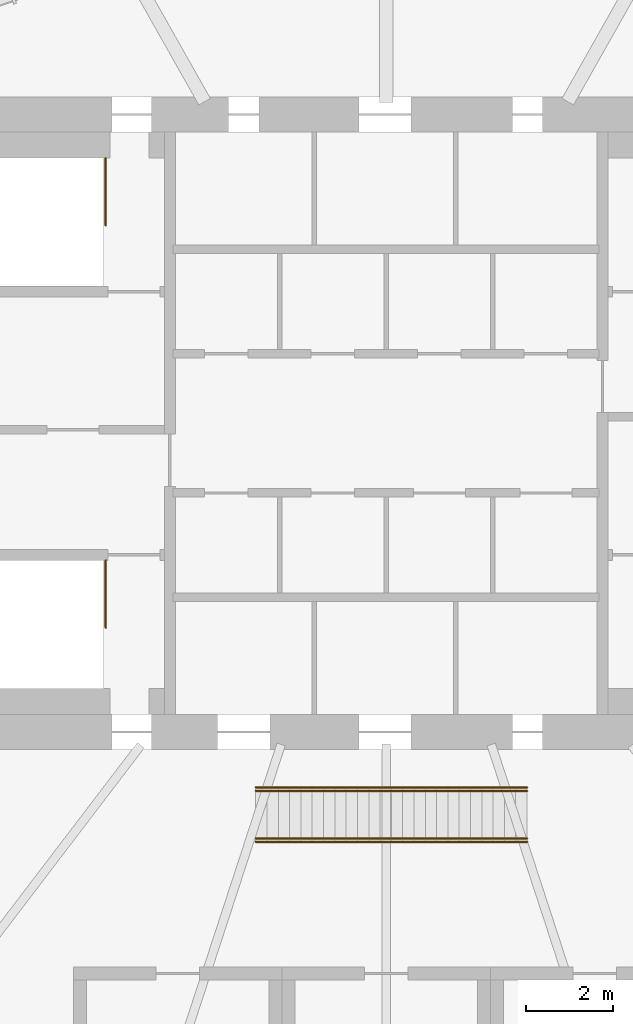
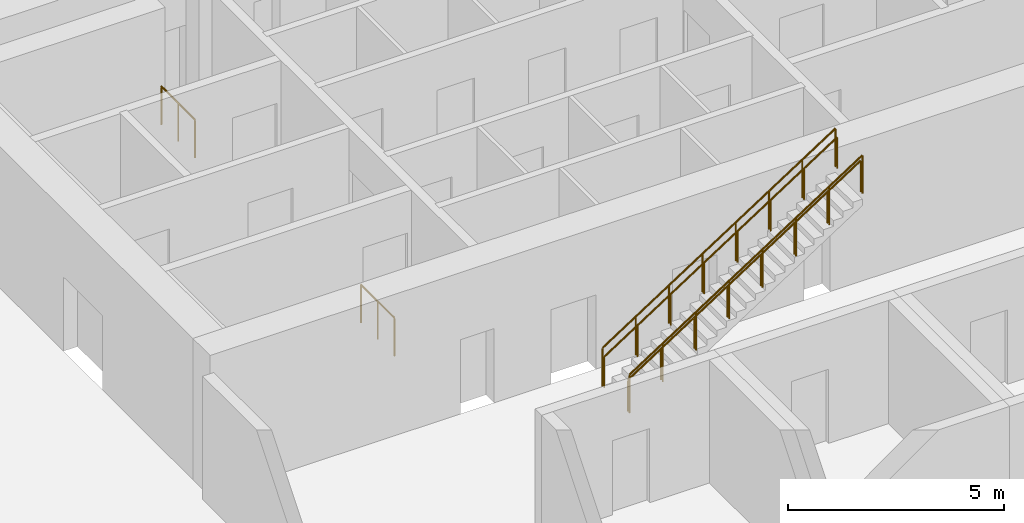
# One storey, part 8 of 8: 6 railings.
"""IFC4 building model written with IfcOpenShell, lengths in metres."""

from ifc_helpers import new_model, si_unit, direction, frame, origin, origin_2d, place, context, subcontext, project, spatial, circle, extrude, material, type_object, element, save


model = new_model("IFC4")

# Units and contexts
model_context = context("Model", 3, precision=1e-05, world=origin(), true_north=direction((0.0, 1.0)))
body_context = subcontext(model_context, "Body", "Model", "MODEL_VIEW")
ifc_project = project(units=[si_unit("LENGTHUNIT", "METRE"), si_unit("AREAUNIT", "SQUARE_METRE"), si_unit("VOLUMEUNIT", "CUBIC_METRE"), si_unit("PLANEANGLEUNIT", "RADIAN"), si_unit("MASSUNIT", "GRAM", prefix="KILO")], contexts=[model_context])

# Site, building, storey
site_placement = place(None, origin())
site = spatial("IfcSite", under=ifc_project, at=site_placement, CompositionType="ELEMENT")
building_placement = place(site_placement, origin())
building = spatial("IfcBuilding", under=site, at=building_placement, Name="Rubra Terraces Tower", CompositionType="ELEMENT")
storey_placement = place(building_placement, frame((0.0, 0.0, 316.199951171875)))
storey = spatial("IfcBuildingStorey", under=building, at=storey_placement, Name="L78", CompositionType="ELEMENT", Elevation=316.199951171875)

# Railings
ifc_material = material(Name="Stainless steel", Category="steel")
railing_type_1 = type_object("IfcRailingType", Name="Core stair guard 1100", PredefinedType="GUARDRAIL", material=ifc_material)
for number, where, name in (
    (1, (-6.449951171875, 1.35009765625, 0.0), "L78 stair S1 top guard 1"),
    (2, (-6.449951171875, 10.60009765625, 0.0), "L78 stair S2 top guard 1"),
):
    element("IfcRailing", number, at=place(storey_placement, frame(where)), inside=storey, type_object=railing_type_1, Name=name, PredefinedType="GUARDRAIL", context=body_context, shape_type="SweptSolid", body=[
        extrude(circle(Radius=0.02392578125, at=origin_2d()), frame((0.0, 0.0, 1.076171875), z_axis=(0.0, -1.0, 0.0), x_axis=(1.0, 0.0, 0.0)), (0.0, 0.0, 1.0), 1.550048828125),
        extrude(circle(Radius=0.02099609375, at=origin_2d()), origin(), (0.0, 0.0, 1.0), 1.052001953125),
        extrude(circle(Radius=0.02099609375, at=origin_2d()), frame((0.0, -0.77490234375, 0.0)), (0.0, 0.0, 1.0), 1.052001953125),
        extrude(circle(Radius=0.02099609375, at=origin_2d()), frame((0.0, -1.550048828125, 0.0)), (0.0, 0.0, 1.0), 1.052001953125),
    ])
for number, where, name in (
    (3, (-3.0, -5.125, 0.16796875), "L78 stair S5 guard 1"),
    (4, (-3.0, -3.875, 0.16796875), "L78 stair S5 guard 2"),
):
    element("IfcRailing", number, at=place(storey_placement, frame(where)), inside=storey, type_object=railing_type_1, Name=name, PredefinedType="GUARDRAIL", context=body_context, shape_type="SweptSolid", body=[
        extrude(circle(Radius=0.02392578125, at=origin_2d()), frame((0.0, 0.0, 1.076171875), z_axis=(0.839917359863, 0.0, 0.542714315824), x_axis=(0.0, 1.0, 0.0)), (0.0, 0.0, 1.0), 7.42919921875),
        extrude(circle(Radius=0.02099609375, at=origin_2d()), origin(), (0.0, 0.0, 1.0), 1.052001953125),
        extrude(circle(Radius=0.02099609375, at=origin_2d()), frame((0.891357421875, 0.0, 0.575927734375)), (0.0, 0.0, 1.0), 1.052001953125),
        extrude(circle(Radius=0.02099609375, at=origin_2d()), frame((1.782958984375, 0.0, 1.152099609375)), (0.0, 0.0, 1.0), 1.052001953125),
        extrude(circle(Radius=0.02099609375, at=origin_2d()), frame((2.67431640625, 0.0, 1.72802734375)), (0.0, 0.0, 1.0), 1.052001953125),
        extrude(circle(Radius=0.02099609375, at=origin_2d()), frame((3.565673828125, 0.0, 2.303955078125)), (0.0, 0.0, 1.0), 1.052001953125),
        extrude(circle(Radius=0.02099609375, at=origin_2d()), frame((4.45703125, 0.0, 2.8798828125)), (0.0, 0.0, 1.0), 1.052001953125),
        extrude(circle(Radius=0.02099609375, at=origin_2d()), frame((5.3486328125, 0.0, 3.4560546875)), (0.0, 0.0, 1.0), 1.052001953125),
        extrude(circle(Radius=0.02099609375, at=origin_2d()), frame((6.239990234375, 0.0, 4.031982421875)), (0.0, 0.0, 1.0), 1.052001953125),
    ])
railing_type_2 = type_object("IfcRailingType", Name="Core stair handrail 900", PredefinedType="HANDRAIL", material=ifc_material)
for number, where, name in (
    (5, (-3.0, -5.044921875, 0.16796875), "L78 stair S5 handrail 1"),
    (6, (-3.0, -3.955078125, 0.16796875), "L78 stair S5 handrail 2"),
):
    element("IfcRailing", number, at=place(storey_placement, frame(where)), inside=storey, type_object=railing_type_2, Name=name, PredefinedType="HANDRAIL", context=body_context, shape_type="SweptSolid", body=[
        extrude(circle(Radius=0.02392578125, at=origin_2d()), frame((0.0, 0.0, 0.8759765625), z_axis=(0.839917359863, 0.0, 0.542714315824), x_axis=(0.0, 1.0, 0.0)), (0.0, 0.0, 1.0), 7.42919921875),
        extrude(circle(Radius=0.02099609375, at=origin_2d()), origin(), (0.0, 0.0, 1.0), 0.851806640625),
        extrude(circle(Radius=0.02099609375, at=origin_2d()), frame((0.891357421875, 0.0, 0.575927734375)), (0.0, 0.0, 1.0), 0.851806640625),
        extrude(circle(Radius=0.02099609375, at=origin_2d()), frame((1.782958984375, 0.0, 1.152099609375)), (0.0, 0.0, 1.0), 0.851806640625),
        extrude(circle(Radius=0.02099609375, at=origin_2d()), frame((2.67431640625, 0.0, 1.72802734375)), (0.0, 0.0, 1.0), 0.851806640625),
        extrude(circle(Radius=0.02099609375, at=origin_2d()), frame((3.565673828125, 0.0, 2.303955078125)), (0.0, 0.0, 1.0), 0.851806640625),
        extrude(circle(Radius=0.02099609375, at=origin_2d()), frame((4.45703125, 0.0, 2.8798828125)), (0.0, 0.0, 1.0), 0.851806640625),
        extrude(circle(Radius=0.02099609375, at=origin_2d()), frame((5.3486328125, 0.0, 3.4560546875)), (0.0, 0.0, 1.0), 0.851806640625),
        extrude(circle(Radius=0.02099609375, at=origin_2d()), frame((6.239990234375, 0.0, 4.031982421875)), (0.0, 0.0, 1.0), 0.851806640625),
    ])

save(model, "model.ifc")
